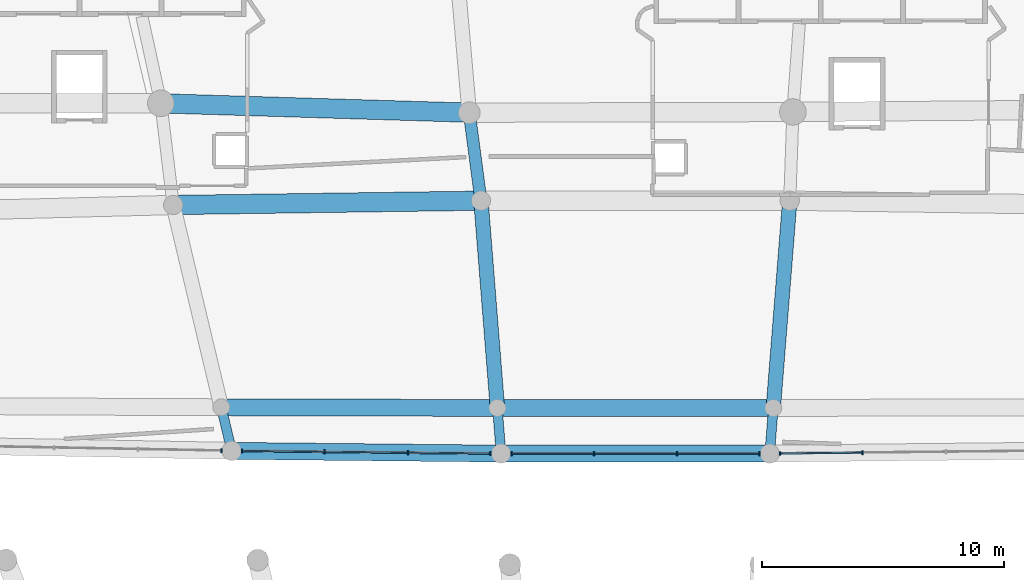
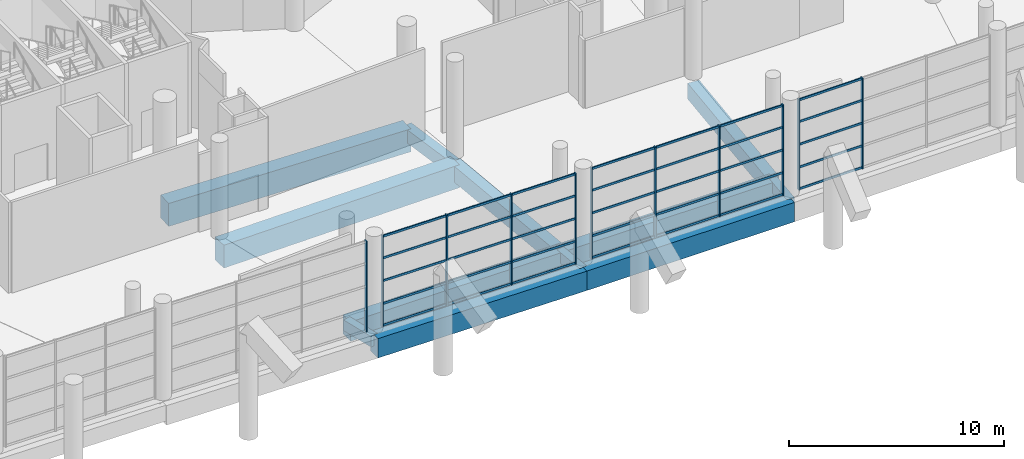
# One storey, part 85 of 271: 46 members, 12 beams, 4 elements without a shape of their own.
"""IFC4 building model written with IfcOpenShell, lengths in metres."""

from ifc_helpers import new_model, si_unit, direction, frame, origin, origin_2d, place, context, subcontext, project, spatial, rectangle, extrude, material, layer, layer_set, material_profile, profile_set, type_object, element, aggregate, save


model = new_model("IFC4")

# Units and contexts
model_context = context("Model", 3, precision=1e-05, world=origin(), true_north=direction((0.0, 1.0)))
body_context = subcontext(model_context, "Body", "Model", "MODEL_VIEW")
ifc_project = project(units=[si_unit("LENGTHUNIT", "METRE"), si_unit("AREAUNIT", "SQUARE_METRE"), si_unit("VOLUMEUNIT", "CUBIC_METRE"), si_unit("PLANEANGLEUNIT", "RADIAN"), si_unit("MASSUNIT", "GRAM", prefix="KILO")], contexts=[model_context])

# Site, building, storey
site_placement = place(None, origin())
site = spatial("IfcSite", under=ifc_project, at=site_placement, CompositionType="ELEMENT")
building_placement = place(site_placement, origin())
building = spatial("IfcBuilding", under=site, at=building_placement, Name="Meseta Stadium", CompositionType="ELEMENT")
storey_placement = place(building_placement, frame((0.0, 0.0, 6.5)))
storey = spatial("IfcBuildingStorey", under=building, at=storey_placement, Name="L01", CompositionType="ELEMENT", Elevation=6.5)

# Curtain wall, members
ifc_material_1 = material(Name="Aluminium", Category="aluminium")
ifc_layer = layer(ifc_material_1, 0.199951171875)
ifc_layer_set = layer_set([ifc_layer], Name="Club glazing curtain wall")
curtain_wall_type = type_object("IfcCurtainWallType", Name="Club glazing curtain wall", PredefinedType="NOTDEFINED", material=ifc_layer_set)
curtain_wall_1_placement = place(storey_placement, origin())
curtain_wall_1 = element("IfcCurtainWall", 1, at=curtain_wall_1_placement, inside=storey, type_object=curtain_wall_type, Name="Club glazing bay 17", PredefinedType="NOTDEFINED")
ifc_material_2 = material(Name="Aluminium", Category="aluminium")
ifc_material_profile_1 = material_profile(ifc_material_2, rectangle(XDim=0.159912109375, YDim=0.06005859375, at=origin_2d()), Name="CW 160x60")
ifc_profile_set_1 = profile_set([ifc_material_profile_1], Name="Aluminium")
member_type_1 = type_object("IfcMemberType", Name="CW mullion 60x160", PredefinedType="MULLION", material=ifc_profile_set_1)
member_1_placement = place(storey_placement, frame((9.403564453125, 75.454345703125, 0.0), z_axis=(0.0, 0.0, 1.0), x_axis=(0.010278991253, -0.999947169774, 0.0)))
member_1 = element("IfcMember", 2, at=member_1_placement, type_object=member_type_1, Name="CWC mullion 3", PredefinedType="MULLION", context=body_context, shape_type="SweptSolid", body=[
    extrude(rectangle(XDim=0.159912109375, YDim=0.06005859375, at=origin_2d()), origin(), (0.0, 0.0, 1.0), 5.14990234375),
])
member_2_placement = place(storey_placement, frame((5.986572265625, 75.41943359375, 0.0), z_axis=(0.0, 0.0, 1.0), x_axis=(0.010278991253, -0.999947169774, 0.0)))
member_2 = element("IfcMember", 3, at=member_2_placement, type_object=member_type_1, Name="CWC mullion 4", PredefinedType="MULLION", context=body_context, shape_type="SweptSolid", body=[
    extrude(rectangle(XDim=0.159912109375, YDim=0.06005859375, at=origin_2d()), origin(), (0.0, 0.0, 1.0), 5.14990234375),
])

curtain_wall_2_placement = place(storey_placement, origin())
curtain_wall_2 = element("IfcCurtainWall", 4, at=curtain_wall_2_placement, inside=storey, type_object=curtain_wall_type, Name="Club glazing bay 18", PredefinedType="NOTDEFINED")
member_3_placement = place(storey_placement, frame((5.126708984375, 75.4150390625, 0.0), z_axis=(0.0, 0.0, 1.0), x_axis=(0.0, -1.0, 0.0)))
member_3 = element("IfcMember", 5, at=member_3_placement, type_object=member_type_1, Name="CWC mullion 1", PredefinedType="MULLION", context=body_context, shape_type="SweptSolid", body=[
    extrude(rectangle(XDim=0.159912109375, YDim=0.06005859375, at=origin_2d()), origin(), (0.0, 0.0, 1.0), 5.14990234375),
])
member_4_placement = place(storey_placement, frame((1.718994140625, 75.4150390625, 0.0), z_axis=(0.0, 0.0, 1.0), x_axis=(0.0, -1.0, 0.0)))
member_4 = element("IfcMember", 6, at=member_4_placement, type_object=member_type_1, Name="CWC mullion 2", PredefinedType="MULLION", context=body_context, shape_type="SweptSolid", body=[
    extrude(rectangle(XDim=0.159912109375, YDim=0.06005859375, at=origin_2d()), origin(), (0.0, 0.0, 1.0), 5.14990234375),
])
member_5_placement = place(storey_placement, frame((-1.718994140625, 75.4150390625, 0.0), z_axis=(0.0, 0.0, 1.0), x_axis=(0.0, -1.0, 0.0)))
member_5 = element("IfcMember", 7, at=member_5_placement, type_object=member_type_1, Name="CWC mullion 3", PredefinedType="MULLION", context=body_context, shape_type="SweptSolid", body=[
    extrude(rectangle(XDim=0.159912109375, YDim=0.06005859375, at=origin_2d()), origin(), (0.0, 0.0, 1.0), 5.14990234375),
])
member_6_placement = place(storey_placement, frame((-5.126708984375, 75.4150390625, 0.0), z_axis=(0.0, 0.0, 1.0), x_axis=(0.0, -1.0, 0.0)))
member_6 = element("IfcMember", 8, at=member_6_placement, type_object=member_type_1, Name="CWC mullion 4", PredefinedType="MULLION", context=body_context, shape_type="SweptSolid", body=[
    extrude(rectangle(XDim=0.159912109375, YDim=0.06005859375, at=origin_2d()), origin(), (0.0, 0.0, 1.0), 5.14990234375),
])

curtain_wall_3_placement = place(storey_placement, origin())
curtain_wall_3 = element("IfcCurtainWall", 9, at=curtain_wall_3_placement, inside=storey, type_object=curtain_wall_type, Name="Club glazing bay 19", PredefinedType="NOTDEFINED")
member_7_placement = place(storey_placement, frame((-5.986572265625, 75.41943359375, 0.0), z_axis=(0.0, 0.0, 1.0), x_axis=(-0.010278991253, -0.999947169774, 0.0)))
member_7 = element("IfcMember", 10, at=member_7_placement, type_object=member_type_1, Name="CWC mullion 1", PredefinedType="MULLION", context=body_context, shape_type="SweptSolid", body=[
    extrude(rectangle(XDim=0.159912109375, YDim=0.06005859375, at=origin_2d()), origin(), (0.0, 0.0, 1.0), 5.14990234375),
])
member_8_placement = place(storey_placement, frame((-9.403564453125, 75.454345703125, 0.0), z_axis=(0.0, 0.0, 1.0), x_axis=(-0.010278991253, -0.999947169774, 0.0)))
member_8 = element("IfcMember", 11, at=member_8_placement, type_object=member_type_1, Name="CWC mullion 2", PredefinedType="MULLION", context=body_context, shape_type="SweptSolid", body=[
    extrude(rectangle(XDim=0.159912109375, YDim=0.06005859375, at=origin_2d()), origin(), (0.0, 0.0, 1.0), 5.14990234375),
])
member_9_placement = place(storey_placement, frame((-12.8505859375, 75.489990234375, 0.0), z_axis=(0.0, 0.0, 1.0), x_axis=(-0.010278991253, -0.999947169774, 0.0)))
member_9 = element("IfcMember", 12, at=member_9_placement, type_object=member_type_1, Name="CWC mullion 3", PredefinedType="MULLION", context=body_context, shape_type="SweptSolid", body=[
    extrude(rectangle(XDim=0.159912109375, YDim=0.06005859375, at=origin_2d()), origin(), (0.0, 0.0, 1.0), 5.14990234375),
])
member_10_placement = place(storey_placement, frame((-16.267578125, 75.52490234375, 0.0), z_axis=(0.0, 0.0, 1.0), x_axis=(-0.010278991253, -0.999947169774, 0.0)))
member_10 = element("IfcMember", 13, at=member_10_placement, type_object=member_type_1, Name="CWC mullion 4", PredefinedType="MULLION", context=body_context, shape_type="SweptSolid", body=[
    extrude(rectangle(XDim=0.159912109375, YDim=0.06005859375, at=origin_2d()), origin(), (0.0, 0.0, 1.0), 5.14990234375),
])

# Curtain wall, member
curtain_wall_4_placement = place(storey_placement, origin())
curtain_wall_4 = element("IfcCurtainWall", 14, at=curtain_wall_4_placement, inside=storey, type_object=curtain_wall_type, Name="Club glazing bay 20", PredefinedType="NOTDEFINED")
member_11_placement = place(storey_placement, frame((-17.127197265625, 75.537353515625, 0.0), z_axis=(0.0, 0.0, 1.0), x_axis=(-0.018383858671, -0.99983100259, 0.0)))
member_11 = element("IfcMember", 15, at=member_11_placement, type_object=member_type_1, Name="CWC mullion 1", PredefinedType="MULLION", context=body_context, shape_type="SweptSolid", body=[
    extrude(rectangle(XDim=0.159912109375, YDim=0.06005859375, at=origin_2d()), origin(), (0.0, 0.0, 1.0), 5.14990234375),
])
aggregate(curtain_wall_4, [member_11])

# Member
ifc_material_3 = material(Name="Aluminium", Category="aluminium")
ifc_material_profile_2 = material_profile(ifc_material_3, rectangle(XDim=0.06005859375, YDim=0.1201171875, at=origin_2d()), Name="CW 60x120")
ifc_profile_set_2 = profile_set([ifc_material_profile_2], Name="Aluminium")
member_type_2 = type_object("IfcMemberType", Name="CW transom 60x120", PredefinedType="USERDEFINED", material=ifc_profile_set_2)
member_12_placement = place(storey_placement, frame((9.37353515625, 75.4541015625, 0.06005859375), z_axis=(-0.999947426295, -0.010254006335, 0.0), x_axis=(0.010254006335, -0.999947426295, 0.0)))
member_12 = element("IfcMember", 16, at=member_12_placement, type_object=member_type_2, Name="CWC transom 3.1", ObjectType="TRANSOM", PredefinedType="USERDEFINED", context=body_context, shape_type="SweptSolid", body=[
    extrude(rectangle(XDim=0.06005859375, YDim=0.1201171875, at=origin_2d()), origin(), (0.0, 0.0, 1.0), 3.357177734375),
])

member_13_placement = place(storey_placement, frame((9.37353515625, 75.4541015625, 1.28759765625), z_axis=(-0.999947426295, -0.010254006335, 0.0), x_axis=(0.010254006335, -0.999947426295, 0.0)))
member_13 = element("IfcMember", 17, at=member_13_placement, type_object=member_type_2, Name="CWC transom 3.2", ObjectType="TRANSOM", PredefinedType="USERDEFINED", context=body_context, shape_type="SweptSolid", body=[
    extrude(rectangle(XDim=0.06005859375, YDim=0.1201171875, at=origin_2d()), origin(), (0.0, 0.0, 1.0), 3.357177734375),
])

member_14_placement = place(storey_placement, frame((9.37353515625, 75.4541015625, 2.574951171875), z_axis=(-0.999947426295, -0.010254006335, 0.0), x_axis=(0.010254006335, -0.999947426295, 0.0)))
member_14 = element("IfcMember", 18, at=member_14_placement, type_object=member_type_2, Name="CWC transom 3.3", ObjectType="TRANSOM", PredefinedType="USERDEFINED", context=body_context, shape_type="SweptSolid", body=[
    extrude(rectangle(XDim=0.06005859375, YDim=0.1201171875, at=origin_2d()), origin(), (0.0, 0.0, 1.0), 3.357177734375),
])

member_15_placement = place(storey_placement, frame((9.37353515625, 75.4541015625, 3.862548828125), z_axis=(-0.999947426295, -0.010254006335, 0.0), x_axis=(0.010254006335, -0.999947426295, 0.0)))
member_15 = element("IfcMember", 19, at=member_15_placement, type_object=member_type_2, Name="CWC transom 3.4", ObjectType="TRANSOM", PredefinedType="USERDEFINED", context=body_context, shape_type="SweptSolid", body=[
    extrude(rectangle(XDim=0.06005859375, YDim=0.1201171875, at=origin_2d()), origin(), (0.0, 0.0, 1.0), 3.357177734375),
])

member_16_placement = place(storey_placement, frame((9.37353515625, 75.4541015625, 5.090087890625), z_axis=(-0.999947426295, -0.010254006335, 0.0), x_axis=(0.010254006335, -0.999947426295, 0.0)))
member_16 = element("IfcMember", 20, at=member_16_placement, type_object=member_type_2, Name="CWC transom 3.5", ObjectType="TRANSOM", PredefinedType="USERDEFINED", context=body_context, shape_type="SweptSolid", body=[
    extrude(rectangle(XDim=0.06005859375, YDim=0.1201171875, at=origin_2d()), origin(), (0.0, 0.0, 1.0), 3.357177734375),
])

aggregate(curtain_wall_1, [member_1, member_2, member_12, member_13, member_14, member_15, member_16])

member_17_placement = place(storey_placement, frame((5.0966796875, 75.4150390625, 0.06005859375), z_axis=(-1.0, 0.0, 0.0), x_axis=(0.0, -1.0, 0.0)))
member_17 = element("IfcMember", 21, at=member_17_placement, type_object=member_type_2, Name="CWC transom 1.1", ObjectType="TRANSOM", PredefinedType="USERDEFINED", context=body_context, shape_type="SweptSolid", body=[
    extrude(rectangle(XDim=0.06005859375, YDim=0.1201171875, at=origin_2d()), origin(), (0.0, 0.0, 1.0), 3.34765625),
])

member_18_placement = place(storey_placement, frame((5.0966796875, 75.4150390625, 1.28759765625), z_axis=(-1.0, 0.0, 0.0), x_axis=(0.0, -1.0, 0.0)))
member_18 = element("IfcMember", 22, at=member_18_placement, type_object=member_type_2, Name="CWC transom 1.2", ObjectType="TRANSOM", PredefinedType="USERDEFINED", context=body_context, shape_type="SweptSolid", body=[
    extrude(rectangle(XDim=0.06005859375, YDim=0.1201171875, at=origin_2d()), origin(), (0.0, 0.0, 1.0), 3.34765625),
])

member_19_placement = place(storey_placement, frame((5.0966796875, 75.4150390625, 2.574951171875), z_axis=(-1.0, 0.0, 0.0), x_axis=(0.0, -1.0, 0.0)))
member_19 = element("IfcMember", 23, at=member_19_placement, type_object=member_type_2, Name="CWC transom 1.3", ObjectType="TRANSOM", PredefinedType="USERDEFINED", context=body_context, shape_type="SweptSolid", body=[
    extrude(rectangle(XDim=0.06005859375, YDim=0.1201171875, at=origin_2d()), origin(), (0.0, 0.0, 1.0), 3.34765625),
])

member_20_placement = place(storey_placement, frame((5.0966796875, 75.4150390625, 3.862548828125), z_axis=(-1.0, 0.0, 0.0), x_axis=(0.0, -1.0, 0.0)))
member_20 = element("IfcMember", 24, at=member_20_placement, type_object=member_type_2, Name="CWC transom 1.4", ObjectType="TRANSOM", PredefinedType="USERDEFINED", context=body_context, shape_type="SweptSolid", body=[
    extrude(rectangle(XDim=0.06005859375, YDim=0.1201171875, at=origin_2d()), origin(), (0.0, 0.0, 1.0), 3.34765625),
])

member_21_placement = place(storey_placement, frame((5.0966796875, 75.4150390625, 5.090087890625), z_axis=(-1.0, 0.0, 0.0), x_axis=(0.0, -1.0, 0.0)))
member_21 = element("IfcMember", 25, at=member_21_placement, type_object=member_type_2, Name="CWC transom 1.5", ObjectType="TRANSOM", PredefinedType="USERDEFINED", context=body_context, shape_type="SweptSolid", body=[
    extrude(rectangle(XDim=0.06005859375, YDim=0.1201171875, at=origin_2d()), origin(), (0.0, 0.0, 1.0), 3.34765625),
])

member_22_placement = place(storey_placement, frame((1.68896484375, 75.4150390625, 0.06005859375), z_axis=(-1.0, 0.0, 0.0), x_axis=(0.0, -1.0, 0.0)))
member_22 = element("IfcMember", 26, at=member_22_placement, type_object=member_type_2, Name="CWC transom 2.1", ObjectType="TRANSOM", PredefinedType="USERDEFINED", context=body_context, shape_type="SweptSolid", body=[
    extrude(rectangle(XDim=0.06005859375, YDim=0.1201171875, at=origin_2d()), origin(), (0.0, 0.0, 1.0), 3.3779296875),
])

member_23_placement = place(storey_placement, frame((1.68896484375, 75.4150390625, 1.28759765625), z_axis=(-1.0, 0.0, 0.0), x_axis=(0.0, -1.0, 0.0)))
member_23 = element("IfcMember", 27, at=member_23_placement, type_object=member_type_2, Name="CWC transom 2.2", ObjectType="TRANSOM", PredefinedType="USERDEFINED", context=body_context, shape_type="SweptSolid", body=[
    extrude(rectangle(XDim=0.06005859375, YDim=0.1201171875, at=origin_2d()), origin(), (0.0, 0.0, 1.0), 3.3779296875),
])

member_24_placement = place(storey_placement, frame((1.68896484375, 75.4150390625, 2.574951171875), z_axis=(-1.0, 0.0, 0.0), x_axis=(0.0, -1.0, 0.0)))
member_24 = element("IfcMember", 28, at=member_24_placement, type_object=member_type_2, Name="CWC transom 2.3", ObjectType="TRANSOM", PredefinedType="USERDEFINED", context=body_context, shape_type="SweptSolid", body=[
    extrude(rectangle(XDim=0.06005859375, YDim=0.1201171875, at=origin_2d()), origin(), (0.0, 0.0, 1.0), 3.3779296875),
])

member_25_placement = place(storey_placement, frame((1.68896484375, 75.4150390625, 3.862548828125), z_axis=(-1.0, 0.0, 0.0), x_axis=(0.0, -1.0, 0.0)))
member_25 = element("IfcMember", 29, at=member_25_placement, type_object=member_type_2, Name="CWC transom 2.4", ObjectType="TRANSOM", PredefinedType="USERDEFINED", context=body_context, shape_type="SweptSolid", body=[
    extrude(rectangle(XDim=0.06005859375, YDim=0.1201171875, at=origin_2d()), origin(), (0.0, 0.0, 1.0), 3.3779296875),
])

member_26_placement = place(storey_placement, frame((1.68896484375, 75.4150390625, 5.090087890625), z_axis=(-1.0, 0.0, 0.0), x_axis=(0.0, -1.0, 0.0)))
member_26 = element("IfcMember", 30, at=member_26_placement, type_object=member_type_2, Name="CWC transom 2.5", ObjectType="TRANSOM", PredefinedType="USERDEFINED", context=body_context, shape_type="SweptSolid", body=[
    extrude(rectangle(XDim=0.06005859375, YDim=0.1201171875, at=origin_2d()), origin(), (0.0, 0.0, 1.0), 3.3779296875),
])

member_27_placement = place(storey_placement, frame((-1.7490234375, 75.4150390625, 0.06005859375), z_axis=(-1.0, 0.0, 0.0), x_axis=(0.0, -1.0, 0.0)))
member_27 = element("IfcMember", 31, at=member_27_placement, type_object=member_type_2, Name="CWC transom 3.1", ObjectType="TRANSOM", PredefinedType="USERDEFINED", context=body_context, shape_type="SweptSolid", body=[
    extrude(rectangle(XDim=0.06005859375, YDim=0.1201171875, at=origin_2d()), origin(), (0.0, 0.0, 1.0), 3.34765625),
])

member_28_placement = place(storey_placement, frame((-1.7490234375, 75.4150390625, 1.28759765625), z_axis=(-1.0, 0.0, 0.0), x_axis=(0.0, -1.0, 0.0)))
member_28 = element("IfcMember", 32, at=member_28_placement, type_object=member_type_2, Name="CWC transom 3.2", ObjectType="TRANSOM", PredefinedType="USERDEFINED", context=body_context, shape_type="SweptSolid", body=[
    extrude(rectangle(XDim=0.06005859375, YDim=0.1201171875, at=origin_2d()), origin(), (0.0, 0.0, 1.0), 3.34765625),
])

member_29_placement = place(storey_placement, frame((-1.7490234375, 75.4150390625, 2.574951171875), z_axis=(-1.0, 0.0, 0.0), x_axis=(0.0, -1.0, 0.0)))
member_29 = element("IfcMember", 33, at=member_29_placement, type_object=member_type_2, Name="CWC transom 3.3", ObjectType="TRANSOM", PredefinedType="USERDEFINED", context=body_context, shape_type="SweptSolid", body=[
    extrude(rectangle(XDim=0.06005859375, YDim=0.1201171875, at=origin_2d()), origin(), (0.0, 0.0, 1.0), 3.34765625),
])

member_30_placement = place(storey_placement, frame((-1.7490234375, 75.4150390625, 3.862548828125), z_axis=(-1.0, 0.0, 0.0), x_axis=(0.0, -1.0, 0.0)))
member_30 = element("IfcMember", 34, at=member_30_placement, type_object=member_type_2, Name="CWC transom 3.4", ObjectType="TRANSOM", PredefinedType="USERDEFINED", context=body_context, shape_type="SweptSolid", body=[
    extrude(rectangle(XDim=0.06005859375, YDim=0.1201171875, at=origin_2d()), origin(), (0.0, 0.0, 1.0), 3.34765625),
])

member_31_placement = place(storey_placement, frame((-1.7490234375, 75.4150390625, 5.090087890625), z_axis=(-1.0, 0.0, 0.0), x_axis=(0.0, -1.0, 0.0)))
member_31 = element("IfcMember", 35, at=member_31_placement, type_object=member_type_2, Name="CWC transom 3.5", ObjectType="TRANSOM", PredefinedType="USERDEFINED", context=body_context, shape_type="SweptSolid", body=[
    extrude(rectangle(XDim=0.06005859375, YDim=0.1201171875, at=origin_2d()), origin(), (0.0, 0.0, 1.0), 3.34765625),
])

aggregate(curtain_wall_2, [member_3, member_4, member_5, member_6, member_17, member_18, member_19, member_20, member_21, member_22, member_23, member_24, member_25, member_26, member_27, member_28, member_29, member_30, member_31])

member_32_placement = place(storey_placement, frame((-6.0166015625, 75.419677734375, 0.06005859375), z_axis=(-0.999947426295, 0.010254006335, 0.0), x_axis=(-0.010254006335, -0.999947426295, 0.0)))
member_32 = element("IfcMember", 36, at=member_32_placement, type_object=member_type_2, Name="CWC transom 1.1", ObjectType="TRANSOM", PredefinedType="USERDEFINED", context=body_context, shape_type="SweptSolid", body=[
    extrude(rectangle(XDim=0.06005859375, YDim=0.1201171875, at=origin_2d()), origin(), (0.0, 0.0, 1.0), 3.357177734375),
])

member_33_placement = place(storey_placement, frame((-6.0166015625, 75.419677734375, 1.28759765625), z_axis=(-0.999947426295, 0.010254006335, 0.0), x_axis=(-0.010254006335, -0.999947426295, 0.0)))
member_33 = element("IfcMember", 37, at=member_33_placement, type_object=member_type_2, Name="CWC transom 1.2", ObjectType="TRANSOM", PredefinedType="USERDEFINED", context=body_context, shape_type="SweptSolid", body=[
    extrude(rectangle(XDim=0.06005859375, YDim=0.1201171875, at=origin_2d()), origin(), (0.0, 0.0, 1.0), 3.357177734375),
])

member_34_placement = place(storey_placement, frame((-6.0166015625, 75.419677734375, 2.574951171875), z_axis=(-0.999947426295, 0.010254006335, 0.0), x_axis=(-0.010254006335, -0.999947426295, 0.0)))
member_34 = element("IfcMember", 38, at=member_34_placement, type_object=member_type_2, Name="CWC transom 1.3", ObjectType="TRANSOM", PredefinedType="USERDEFINED", context=body_context, shape_type="SweptSolid", body=[
    extrude(rectangle(XDim=0.06005859375, YDim=0.1201171875, at=origin_2d()), origin(), (0.0, 0.0, 1.0), 3.357177734375),
])

member_35_placement = place(storey_placement, frame((-6.0166015625, 75.419677734375, 3.862548828125), z_axis=(-0.999947426295, 0.010254006335, 0.0), x_axis=(-0.010254006335, -0.999947426295, 0.0)))
member_35 = element("IfcMember", 39, at=member_35_placement, type_object=member_type_2, Name="CWC transom 1.4", ObjectType="TRANSOM", PredefinedType="USERDEFINED", context=body_context, shape_type="SweptSolid", body=[
    extrude(rectangle(XDim=0.06005859375, YDim=0.1201171875, at=origin_2d()), origin(), (0.0, 0.0, 1.0), 3.357177734375),
])

member_36_placement = place(storey_placement, frame((-6.0166015625, 75.419677734375, 5.090087890625), z_axis=(-0.999947426295, 0.010254006335, 0.0), x_axis=(-0.010254006335, -0.999947426295, 0.0)))
member_36 = element("IfcMember", 40, at=member_36_placement, type_object=member_type_2, Name="CWC transom 1.5", ObjectType="TRANSOM", PredefinedType="USERDEFINED", context=body_context, shape_type="SweptSolid", body=[
    extrude(rectangle(XDim=0.06005859375, YDim=0.1201171875, at=origin_2d()), origin(), (0.0, 0.0, 1.0), 3.357177734375),
])

member_37_placement = place(storey_placement, frame((-9.43359375, 75.454833984375, 0.06005859375), z_axis=(-0.99994761924, 0.010235173498, 0.0), x_axis=(-0.010235173498, -0.99994761924, 0.0)))
member_37 = element("IfcMember", 41, at=member_37_placement, type_object=member_type_2, Name="CWC transom 2.1", ObjectType="TRANSOM", PredefinedType="USERDEFINED", context=body_context, shape_type="SweptSolid", body=[
    extrude(rectangle(XDim=0.06005859375, YDim=0.1201171875, at=origin_2d()), origin(), (0.0, 0.0, 1.0), 3.38720703125),
])

member_38_placement = place(storey_placement, frame((-9.43359375, 75.454833984375, 1.28759765625), z_axis=(-0.99994761924, 0.010235173498, 0.0), x_axis=(-0.010235173498, -0.99994761924, 0.0)))
member_38 = element("IfcMember", 42, at=member_38_placement, type_object=member_type_2, Name="CWC transom 2.2", ObjectType="TRANSOM", PredefinedType="USERDEFINED", context=body_context, shape_type="SweptSolid", body=[
    extrude(rectangle(XDim=0.06005859375, YDim=0.1201171875, at=origin_2d()), origin(), (0.0, 0.0, 1.0), 3.38720703125),
])

member_39_placement = place(storey_placement, frame((-9.43359375, 75.454833984375, 2.574951171875), z_axis=(-0.99994761924, 0.010235173498, 0.0), x_axis=(-0.010235173498, -0.99994761924, 0.0)))
member_39 = element("IfcMember", 43, at=member_39_placement, type_object=member_type_2, Name="CWC transom 2.3", ObjectType="TRANSOM", PredefinedType="USERDEFINED", context=body_context, shape_type="SweptSolid", body=[
    extrude(rectangle(XDim=0.06005859375, YDim=0.1201171875, at=origin_2d()), origin(), (0.0, 0.0, 1.0), 3.38720703125),
])

member_40_placement = place(storey_placement, frame((-9.43359375, 75.454833984375, 3.862548828125), z_axis=(-0.99994761924, 0.010235173498, 0.0), x_axis=(-0.010235173498, -0.99994761924, 0.0)))
member_40 = element("IfcMember", 44, at=member_40_placement, type_object=member_type_2, Name="CWC transom 2.4", ObjectType="TRANSOM", PredefinedType="USERDEFINED", context=body_context, shape_type="SweptSolid", body=[
    extrude(rectangle(XDim=0.06005859375, YDim=0.1201171875, at=origin_2d()), origin(), (0.0, 0.0, 1.0), 3.38720703125),
])

member_41_placement = place(storey_placement, frame((-9.43359375, 75.454833984375, 5.090087890625), z_axis=(-0.99994761924, 0.010235173498, 0.0), x_axis=(-0.010235173498, -0.99994761924, 0.0)))
member_41 = element("IfcMember", 45, at=member_41_placement, type_object=member_type_2, Name="CWC transom 2.5", ObjectType="TRANSOM", PredefinedType="USERDEFINED", context=body_context, shape_type="SweptSolid", body=[
    extrude(rectangle(XDim=0.06005859375, YDim=0.1201171875, at=origin_2d()), origin(), (0.0, 0.0, 1.0), 3.38720703125),
])

member_42_placement = place(storey_placement, frame((-12.880615234375, 75.490234375, 0.06005859375), z_axis=(-0.999947433941, 0.010253260722, 0.0), x_axis=(-0.010253260722, -0.999947433941, 0.0)))
member_42 = element("IfcMember", 46, at=member_42_placement, type_object=member_type_2, Name="CWC transom 3.1", ObjectType="TRANSOM", PredefinedType="USERDEFINED", context=body_context, shape_type="SweptSolid", body=[
    extrude(rectangle(XDim=0.06005859375, YDim=0.1201171875, at=origin_2d()), origin(), (0.0, 0.0, 1.0), 3.357421875),
])

member_43_placement = place(storey_placement, frame((-12.880615234375, 75.490234375, 1.28759765625), z_axis=(-0.999947433941, 0.010253260722, 0.0), x_axis=(-0.010253260722, -0.999947433941, 0.0)))
member_43 = element("IfcMember", 47, at=member_43_placement, type_object=member_type_2, Name="CWC transom 3.2", ObjectType="TRANSOM", PredefinedType="USERDEFINED", context=body_context, shape_type="SweptSolid", body=[
    extrude(rectangle(XDim=0.06005859375, YDim=0.1201171875, at=origin_2d()), origin(), (0.0, 0.0, 1.0), 3.357421875),
])

member_44_placement = place(storey_placement, frame((-12.880615234375, 75.490234375, 2.574951171875), z_axis=(-0.999947433941, 0.010253260722, 0.0), x_axis=(-0.010253260722, -0.999947433941, 0.0)))
member_44 = element("IfcMember", 48, at=member_44_placement, type_object=member_type_2, Name="CWC transom 3.3", ObjectType="TRANSOM", PredefinedType="USERDEFINED", context=body_context, shape_type="SweptSolid", body=[
    extrude(rectangle(XDim=0.06005859375, YDim=0.1201171875, at=origin_2d()), origin(), (0.0, 0.0, 1.0), 3.357421875),
])

member_45_placement = place(storey_placement, frame((-12.880615234375, 75.490234375, 3.862548828125), z_axis=(-0.999947433941, 0.010253260722, 0.0), x_axis=(-0.010253260722, -0.999947433941, 0.0)))
member_45 = element("IfcMember", 49, at=member_45_placement, type_object=member_type_2, Name="CWC transom 3.4", ObjectType="TRANSOM", PredefinedType="USERDEFINED", context=body_context, shape_type="SweptSolid", body=[
    extrude(rectangle(XDim=0.06005859375, YDim=0.1201171875, at=origin_2d()), origin(), (0.0, 0.0, 1.0), 3.357421875),
])

member_46_placement = place(storey_placement, frame((-12.880615234375, 75.490234375, 5.090087890625), z_axis=(-0.999947433941, 0.010253260722, 0.0), x_axis=(-0.010253260722, -0.999947433941, 0.0)))
member_46 = element("IfcMember", 50, at=member_46_placement, type_object=member_type_2, Name="CWC transom 3.5", ObjectType="TRANSOM", PredefinedType="USERDEFINED", context=body_context, shape_type="SweptSolid", body=[
    extrude(rectangle(XDim=0.06005859375, YDim=0.1201171875, at=origin_2d()), origin(), (0.0, 0.0, 1.0), 3.357421875),
])

aggregate(curtain_wall_3, [member_7, member_8, member_9, member_10, member_32, member_33, member_34, member_35, member_36, member_37, member_38, member_39, member_40, member_41, member_42, member_43, member_44, member_45, member_46])

# Beams
ifc_material_4 = material(Name="Concrete C40/50", Category="concrete")
ifc_material_profile_3 = material_profile(ifc_material_4, rectangle(XDim=0.39990234375, YDim=0.60009765625, at=origin_2d()), Name="RC 400x600")
ifc_profile_set_3 = profile_set([ifc_material_profile_3], Name="Concrete C40/50")
beam_type_1 = type_object("IfcBeamType", Name="RC beam 400x600", PredefinedType="BEAM", material=ifc_profile_set_3)
for number, where, z_axis, x_axis, name in (
    (51, (5.556640625, 75.414794921875, -0.64990234375), (0.079110203973, 0.996865876448, 0.0), (-0.996865876448, 0.079110203973, 0.0), "L01 radial beam frame 18 line C to D"),
    (52, (-5.556640625, 75.414794921875, -0.64990234375), (-0.079110203973, 0.996865876448, 0.0), (-0.996865876448, -0.079110203973, 0.0), "L01 radial beam frame 19 line C to D"),
):
    element("IfcBeam", number, at=place(storey_placement, frame(where, z_axis=z_axis, x_axis=x_axis)), inside=storey, type_object=beam_type_1, Name=name, PredefinedType="BEAM", context=body_context, shape_type="SweptSolid", body=[
        extrude(rectangle(XDim=0.39990234375, YDim=0.60009765625, at=origin_2d()), origin(), (0.0, 0.0, 1.0), 1.894775390625),
    ])
beam_1_placement = place(storey_placement, frame((-16.697509765625, 75.529296875, -0.64990234375), z_axis=(-0.231608653228, 0.97280904177, 0.0), x_axis=(-0.97280904177, -0.231608653228, 0.0)))
element("IfcBeam", 53, at=beam_1_placement, inside=storey, type_object=beam_type_1, Name="L01 radial beam frame 20 line C to D", PredefinedType="BEAM", context=body_context, shape_type="SweptSolid", body=[
    extrude(rectangle(XDim=0.39990234375, YDim=0.60009765625, at=origin_2d()), origin(), (0.0, 0.0, 1.0), 1.85302734375),
])
ifc_material_5 = material(Name="Concrete C40/50", Category="concrete")
ifc_material_profile_4 = material_profile(ifc_material_5, rectangle(XDim=0.5, YDim=0.75, at=origin_2d()), Name="RC 500x750")
ifc_profile_set_4 = profile_set([ifc_material_profile_4], Name="Concrete C40/50")
beam_type_2 = type_object("IfcBeamType", Name="RC beam 500x750", PredefinedType="BEAM", material=ifc_profile_set_4)
beam_2_placement = place(storey_placement, frame((-6.386962890625, 85.876708984375, -0.72509765625), z_axis=(-0.131671729661, 0.991293375146, 0.0), x_axis=(-0.991293375146, -0.131671729661, 0.0)))
element("IfcBeam", 54, at=beam_2_placement, inside=storey, type_object=beam_type_2, Name="L01 radial beam frame 19 line E to P", PredefinedType="BEAM", context=body_context, shape_type="SweptSolid", body=[
    extrude(rectangle(XDim=0.5, YDim=0.75, at=origin_2d()), origin(), (0.0, 0.0, 1.0), 3.673095703125),
])
ifc_material_6 = material(Name="Concrete C40/50", Category="concrete")
ifc_material_profile_5 = material_profile(ifc_material_6, rectangle(XDim=0.60009765625, YDim=0.89990234375, at=origin_2d()), Name="RC 600x900")
ifc_profile_set_5 = profile_set([ifc_material_profile_5], Name="Concrete C40/50")
beam_type_3 = type_object("IfcBeamType", Name="RC beam 600x900", PredefinedType="BEAM", material=ifc_profile_set_5)
for number, where, z_axis, x_axis, name in (
    (55, (5.70654296875, 77.3037109375, -0.800048828125), (0.079118987749, 0.996865179338, 0.0), (-0.996865179338, 0.079118987749, 0.0), "L01 radial beam frame 18 line D to E"),
    (56, (-5.70654296875, 77.3037109375, -0.800048828125), (-0.079118987749, 0.996865179338, 0.0), (-0.996865179338, -0.079118987749, 0.0), "L01 radial beam frame 19 line D to E"),
):
    element("IfcBeam", number, at=place(storey_placement, frame(where, z_axis=z_axis, x_axis=x_axis)), inside=storey, type_object=beam_type_3, Name=name, PredefinedType="BEAM", context=body_context, shape_type="SweptSolid", body=[
        extrude(rectangle(XDim=0.60009765625, YDim=0.89990234375, at=origin_2d()), origin(), (0.0, 0.0, 1.0), 8.599853515625),
    ])
ifc_material_7 = material(Name="Concrete C40/50", Category="concrete")
ifc_material_profile_6 = material_profile(ifc_material_7, rectangle(XDim=0.699951171875, YDim=1.10009765625, at=origin_2d()), Name="RC 700x1100")
ifc_profile_set_6 = profile_set([ifc_material_profile_6], Name="Concrete C40/50")
beam_type_4 = type_object("IfcBeamType", Name="RC beam 700x1100", PredefinedType="BEAM", material=ifc_profile_set_6)
beam_3_placement = place(storey_placement, frame((5.556640625, 75.414794921875, -0.89990234375), z_axis=(-1.0, 0.0, 0.0), x_axis=(0.0, -1.0, 0.0)))
element("IfcBeam", 57, at=beam_3_placement, inside=storey, type_object=beam_type_4, Name="L01 ring beam frame 18 line C", PredefinedType="BEAM", context=body_context, shape_type="SweptSolid", body=[
    extrude(rectangle(XDim=0.699951171875, YDim=1.10009765625, at=origin_2d()), origin(), (0.0, 0.0, 1.0), 11.11328125),
])
beam_4_placement = place(storey_placement, frame((5.70654296875, 77.3037109375, -0.89990234375), z_axis=(-1.0, 0.0, 0.0), x_axis=(0.0, -1.0, 0.0)))
element("IfcBeam", 58, at=beam_4_placement, inside=storey, type_object=beam_type_4, Name="L01 ring beam frame 18 line D", PredefinedType="BEAM", context=body_context, shape_type="SweptSolid", body=[
    extrude(rectangle(XDim=0.699951171875, YDim=1.10009765625, at=origin_2d()), origin(), (0.0, 0.0, 1.0), 11.4130859375),
])
beam_5_placement = place(storey_placement, frame((-5.556640625, 75.414794921875, -0.89990234375), z_axis=(-0.99994718914, 0.010277107175, 0.0), x_axis=(-0.010277107175, -0.99994718914, 0.0)))
element("IfcBeam", 59, at=beam_5_placement, inside=storey, type_object=beam_type_4, Name="L01 ring beam frame 19 line C", PredefinedType="BEAM", context=body_context, shape_type="SweptSolid", body=[
    extrude(rectangle(XDim=0.699951171875, YDim=1.10009765625, at=origin_2d()), origin(), (0.0, 0.0, 1.0), 11.141357421875),
])
beam_6_placement = place(storey_placement, frame((-5.70654296875, 77.3037109375, -0.89990234375), z_axis=(-0.999996925183, 0.002479843584, 0.0), x_axis=(-0.002479843584, -0.999996925183, 0.0)))
element("IfcBeam", 60, at=beam_6_placement, inside=storey, type_object=beam_type_4, Name="L01 ring beam frame 19 line D", PredefinedType="BEAM", context=body_context, shape_type="SweptSolid", body=[
    extrude(rectangle(XDim=0.699951171875, YDim=1.10009765625, at=origin_2d()), origin(), (0.0, 0.0, 1.0), 11.420166015625),
])
ifc_material_8 = material(Name="Concrete C40/50", Category="concrete")
ifc_material_profile_7 = material_profile(ifc_material_8, rectangle(XDim=0.800048828125, YDim=1.300048828125, at=origin_2d()), Name="RC 800x1300")
ifc_profile_set_7 = profile_set([ifc_material_profile_7], Name="Concrete C40/50")
beam_type_5 = type_object("IfcBeamType", Name="RC beam 800x1300", PredefinedType="BEAM", material=ifc_profile_set_7)
beam_7_placement = place(storey_placement, frame((-6.386962890625, 85.876708984375, -1.0), z_axis=(-0.999901768948, -0.014016149746, 0.0), x_axis=(0.014016149746, -0.999901768948, 0.0)))
element("IfcBeam", 61, at=beam_7_placement, inside=storey, type_object=beam_type_5, Name="L01 ring beam frame 19 line E", PredefinedType="BEAM", context=body_context, shape_type="SweptSolid", body=[
    extrude(rectangle(XDim=0.800048828125, YDim=1.300048828125, at=origin_2d()), origin(), (0.0, 0.0, 1.0), 12.73291015625),
])
beam_8_placement = place(storey_placement, frame((-6.87060546875, 89.517822265625, -1.0), z_axis=(-0.999542564532, 0.030243374311, 0.0), x_axis=(-0.030243374311, -0.999542564532, 0.0)))
element("IfcBeam", 62, at=beam_8_placement, inside=storey, type_object=beam_type_5, Name="L01 ring beam frame 19 line P", PredefinedType="BEAM", context=body_context, shape_type="SweptSolid", body=[
    extrude(rectangle(XDim=0.800048828125, YDim=1.300048828125, at=origin_2d()), origin(), (0.0, 0.0, 1.0), 12.7626953125),
])

save(model, "model.ifc")
